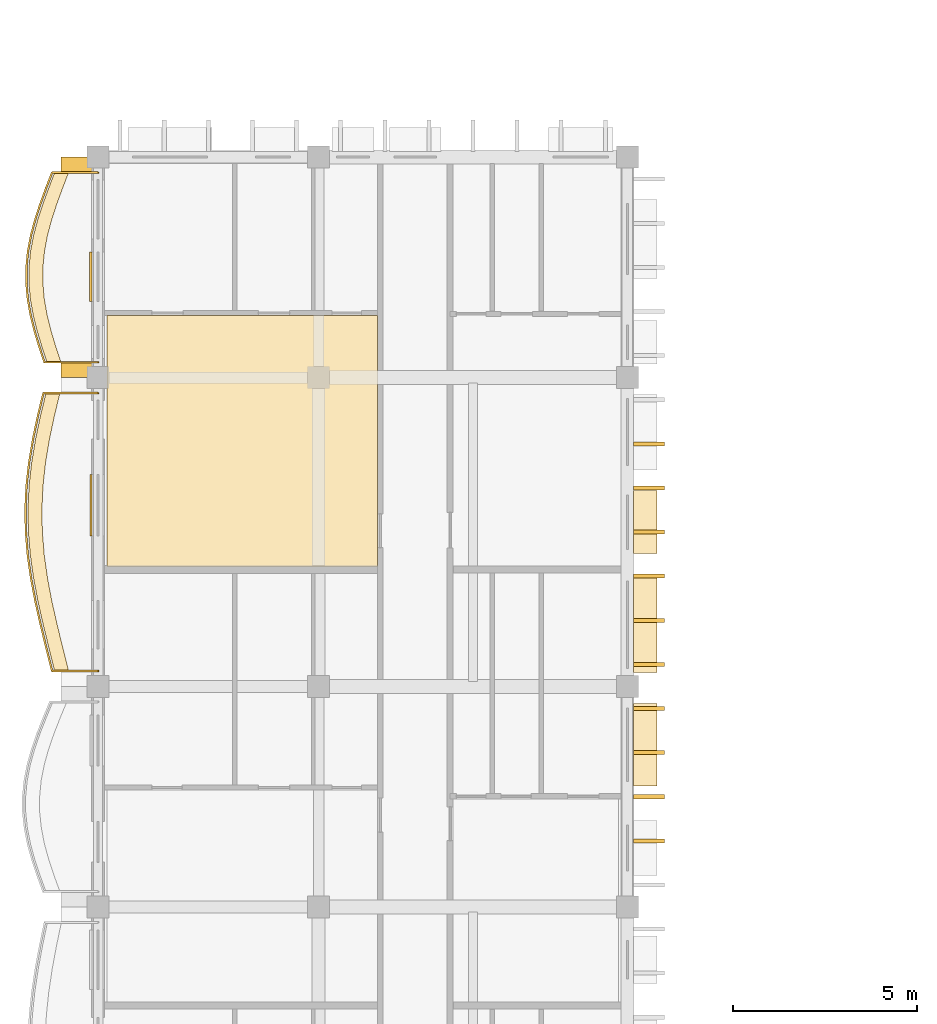
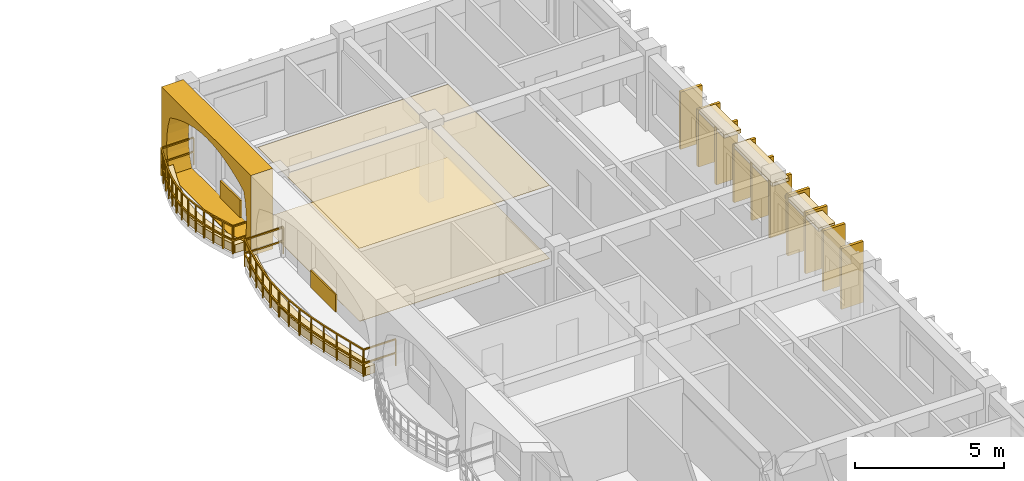
# One storey, part 74 of 101: 20 coverings, 2 railings.
"""IFC4 building model written with IfcOpenShell, lengths in metres."""

from ifc_helpers import new_model, si_unit, direction, frame, origin, origin_2d, place, context, subcontext, project, spatial, polyline, rectangle, outline, extrude, material, layer, layer_set, type_object, element, save


model = new_model("IFC4")

# Units and contexts
model_context = context("Model", 3, precision=1e-05, world=origin(), true_north=direction((0.0, 1.0)))
body_context = subcontext(model_context, "Body", "Model", "MODEL_VIEW")
ifc_project = project(units=[si_unit("LENGTHUNIT", "METRE"), si_unit("AREAUNIT", "SQUARE_METRE"), si_unit("VOLUMEUNIT", "CUBIC_METRE"), si_unit("PLANEANGLEUNIT", "RADIAN"), si_unit("MASSUNIT", "GRAM", prefix="KILO"), si_unit("THERMODYNAMICTEMPERATUREUNIT", "KELVIN")], contexts=[model_context])

# Site, building, storey
site_placement = place(None, origin())
site = spatial("IfcSite", under=ifc_project, at=site_placement, CompositionType="ELEMENT")
building_placement = place(site_placement, origin())
building = spatial("IfcBuilding", under=site, at=building_placement, Name="Thalorik Housing Commons", CompositionType="ELEMENT")
storey_placement = place(building_placement, frame((0.0, 0.0, 8.10009765625)))
storey = spatial("IfcBuildingStorey", under=building, at=storey_placement, Name="L02", CompositionType="ELEMENT", Elevation=8.10009765625)

# Coverings
ifc_material_1 = material(Name="Precast concrete C40/50", Category="concrete")
ifc_layer_1 = layer(ifc_material_1, 0.85009765625, Name="Precast concrete C40/50", Category="concrete")
ifc_layer_set_1 = layer_set([ifc_layer_1], Name="Precast concrete C40/50")
covering_type_1 = type_object("IfcCoveringType", Name="ARC-CLD-CUSH-850", PredefinedType="CLADDING", material=ifc_layer_set_1)
covering_1_placement = place(storey_placement, frame((7.81494140625, 54.60009765625, 0.0), z_axis=(0.0, 0.0, 1.0), x_axis=(0.0, -1.0, 0.0)))
element("IfcCovering", 1, at=covering_1_placement, inside=storey, type_object=covering_type_1, Name="L02 White Precast Curved Cushion Bay Frame 3589", PredefinedType="CLADDING", context=body_context, shape_type="SweptSolid", body=[
    extrude(outline(polyline([(-3.0, 0.0), (3.0, 0.0), (3.0, 3.300048828125), (-3.0, 3.300048828125), (-3.0, 0.0)]), holes=[polyline([(2.52490234375, 0.02490234375), (2.625244140625, 0.415771484375), (2.685302734375, 0.806640625), (2.70556640625, 1.197509765625), (2.685302734375, 1.58837890625), (2.625244140625, 1.979248046875), (2.52490234375, 2.3701171875), (2.112060546875, 2.573974609375), (1.69921875, 2.734130859375), (1.286376953125, 2.864013671875), (0.873291015625, 2.960205078125), (0.46044921875, 3.02001953125), (0.047607421875, 3.0400390625), (-0.365478515625, 3.02001953125), (-0.7783203125, 2.960205078125), (-1.191162109375, 2.864013671875), (-1.604248046875, 2.734130859375), (-2.01708984375, 2.573974609375), (-2.429931640625, 2.3701171875), (-2.55029296875, 1.979248046875), (-2.62255859375, 1.58837890625), (-2.646484375, 1.197509765625), (-2.62255859375, 0.806640625), (-2.55029296875, 0.415771484375), (-2.429931640625, 0.02490234375), (2.52490234375, 0.02490234375)])]), frame((0.0, 0.425048828125, 0.0), z_axis=(0.0, -1.0, 0.0), x_axis=(1.0, 0.0, 0.0)), (0.0, 0.0, 1.0), 0.85009765625),
])
ifc_layer_2 = layer(ifc_material_1, 0.85009765625, Name="Precast concrete C40/50", Category="concrete")
ifc_layer_set_2 = layer_set([ifc_layer_2], Name="Precast concrete C40/50")
covering_type_2 = type_object("IfcCoveringType", Name="ARC-CLD-FIN-850", PredefinedType="CLADDING", material=ifc_layer_set_2)
for number, where, z_axis, x_axis, name in (
    (2, (23.385009765625, 39.0, 0.039794921875), (0.0, 0.0, 1.0), (0.0, 1.0, 0.0), "L02 Courtyard Precast Vertical Brise-Soleil Fin 3549"),
    (3, (23.385009765625, 40.199951171875, 0.039794921875), (0.0, 0.0, 1.0), (0.0, 1.0, 0.0), "L02 Courtyard Precast Vertical Brise-Soleil Fin 3550"),
    (4, (23.385009765625, 41.39990234375, 0.039794921875), (0.0, 0.0, 1.0), (0.0, 1.0, 0.0), "L02 Courtyard Precast Vertical Brise-Soleil Fin 3551"),
    (5, (23.385009765625, 42.60009765625, 0.039794921875), (0.0, 0.0, 1.0), (0.0, 1.0, 0.0), "L02 Courtyard Precast Vertical Brise-Soleil Fin 3552"),
):
    element("IfcCovering", number, at=place(storey_placement, frame(where, z_axis=z_axis, x_axis=x_axis)), inside=storey, type_object=covering_type_2, Name=name, PredefinedType="CLADDING", context=body_context, shape_type="SweptSolid", body=[
        extrude(rectangle(XDim=0.110107421875, YDim=0.85009765625, at=origin_2d()), origin(), (0.0, 0.0, 1.0), 2.4951171875),
    ])
for number, where, z_axis, x_axis, name in (
    (6, (23.385009765625, 43.800048828125, 0.0400390625), (0.0, 0.0, 1.0), (0.0, 1.0, 0.0), "L02 Courtyard Precast Vertical Brise-Soleil Fin 3555"),
    (7, (23.385009765625, 45.0, 0.0400390625), (0.0, 0.0, 1.0), (0.0, 1.0, 0.0), "L02 Courtyard Precast Vertical Brise-Soleil Fin 3556"),
    (8, (23.385009765625, 46.199951171875, 0.0400390625), (0.0, 0.0, 1.0), (0.0, 1.0, 0.0), "L02 Courtyard Precast Vertical Brise-Soleil Fin 3557"),
    (9, (23.385009765625, 47.39990234375, 0.0400390625), (0.0, 0.0, 1.0), (0.0, 1.0, 0.0), "L02 Courtyard Precast Vertical Brise-Soleil Fin 3558"),
    (10, (23.385009765625, 48.60009765625, 0.0400390625), (0.0, 0.0, 1.0), (0.0, 1.0, 0.0), "L02 Courtyard Precast Vertical Brise-Soleil Fin 3559"),
    (11, (23.385009765625, 49.800048828125, 0.0400390625), (0.0, 0.0, 1.0), (0.0, 1.0, 0.0), "L02 Courtyard Precast Vertical Brise-Soleil Fin 3560"),
):
    element("IfcCovering", number, at=place(storey_placement, frame(where, z_axis=z_axis, x_axis=x_axis)), inside=storey, type_object=covering_type_2, Name=name, PredefinedType="CLADDING", context=body_context, shape_type="SweptSolid", body=[
        extrude(rectangle(XDim=0.110107421875, YDim=0.85009765625, at=origin_2d()), origin(), (0.0, 0.0, 1.0), 2.344970703125),
    ])
ifc_layer_3 = layer(ifc_material_1, 0.64990234375, Name="Precast concrete C40/50", Category="concrete")
ifc_layer_set_3 = layer_set([ifc_layer_3], Name="Precast concrete C40/50")
covering_type_3 = type_object("IfcCoveringType", Name="ARC-CLD-HOOD-650", PredefinedType="CLADDING", material=ifc_layer_set_3)
covering_2_placement = place(storey_placement, frame((23.284912109375, 41.611328125, 2.2900390625), z_axis=(0.0, 0.0, 1.0), x_axis=(0.0, 1.0, 0.0)))
element("IfcCovering", 12, at=covering_2_placement, inside=storey, type_object=covering_type_3, Name="L02 Courtyard Precast Window Sun-Hood 3554", PredefinedType="CLADDING", context=body_context, shape_type="SweptSolid", body=[
    extrude(rectangle(XDim=2.239990234375, YDim=0.64990234375, at=origin_2d()), origin(), (0.0, 0.0, 1.0), 0.139892578125),
])
covering_3_placement = place(storey_placement, frame((23.284912109375, 44.885009765625, 2.27001953125), z_axis=(0.0, 0.0, 1.0), x_axis=(0.0, 1.0, 0.0)))
element("IfcCovering", 13, at=covering_3_placement, inside=storey, type_object=covering_type_3, Name="L02 Courtyard Precast Window Sun-Hood 3562", PredefinedType="CLADDING", context=body_context, shape_type="SweptSolid", body=[
    extrude(rectangle(XDim=2.6201171875, YDim=0.64990234375, at=origin_2d()), origin(), (0.0, 0.0, 1.0), 0.139892578125),
])
covering_4_placement = place(storey_placement, frame((23.284912109375, 47.672607421875, 2.27490234375), z_axis=(0.0, 0.0, 1.0), x_axis=(0.0, 1.0, 0.0)))
element("IfcCovering", 14, at=covering_4_placement, inside=storey, type_object=covering_type_3, Name="L02 Courtyard Precast Window Sun-Hood 3563", PredefinedType="CLADDING", context=body_context, shape_type="SweptSolid", body=[
    extrude(rectangle(XDim=1.719970703125, YDim=0.64990234375, at=origin_2d()), origin(), (0.0, 0.0, 1.0), 0.139892578125),
])
ifc_material_2 = material(Name="Terracotta red mineral fibre-cement panel", Category="masonry")
ifc_layer_4 = layer(ifc_material_2, 0.054931640625, Name="Terracotta red mineral fibre-cement panel", Category="masonry")
ifc_layer_set_4 = layer_set([ifc_layer_4], Name="Terracotta red mineral fibre-cement panel")
covering_type_4 = type_object("IfcCoveringType", Name="ARC-CLD-RED-55", PredefinedType="CLADDING", material=ifc_layer_set_4)
covering_5_placement = place(storey_placement, frame((8.20751953125, 48.1298828125, 0.0498046875), z_axis=(0.0, 0.0, 1.0), x_axis=(0.0, -1.0, 0.0)))
element("IfcCovering", 15, at=covering_5_placement, inside=storey, type_object=covering_type_4, Name="L02 De Stijl Recessed Window Spandrel 3592", PredefinedType="CLADDING", context=body_context, shape_type="SweptSolid", body=[
    extrude(rectangle(XDim=1.679931640625, YDim=0.054931640625, at=origin_2d()), origin(), (0.0, 0.0, 1.0), 0.699951171875),
])
ifc_material_3 = material(Name="Mineral ochre architectural terracotta panel", Category="masonry")
ifc_layer_5 = layer(ifc_material_3, 0.06494140625, Name="Mineral ochre architectural terracotta panel", Category="masonry")
ifc_layer_set_5 = layer_set([ifc_layer_5], Name="Mineral ochre architectural terracotta panel")
covering_type_5 = type_object("IfcCoveringType", Name="ARC-CLD-YEL-65", PredefinedType="CLADDING", material=ifc_layer_set_5)
covering_6_placement = place(storey_placement, frame((8.202392578125, 54.344970703125, 0.0498046875), z_axis=(0.0, 0.0, 1.0), x_axis=(0.0, -1.0, 0.0)))
element("IfcCovering", 16, at=covering_6_placement, inside=storey, type_object=covering_type_5, Name="L02 De Stijl Recessed Window Spandrel 3590", PredefinedType="CLADDING", context=body_context, shape_type="SweptSolid", body=[
    extrude(rectangle(XDim=1.35009765625, YDim=0.06494140625, at=origin_2d()), origin(), (0.0, 0.0, 1.0), 0.699951171875),
])
ifc_material_4 = material(Name="Mineral fibre acoustic ceiling tile")
ifc_layer_6 = layer(ifc_material_4, 0.01806640625, Name="Mineral fibre acoustic ceiling tile")
ifc_layer_set_6 = layer_set([ifc_layer_6], Name="Mineral fibre acoustic ceiling tile")
covering_type_6 = type_object("IfcCoveringType", Name="ARC-COV-CEIL-02", PredefinedType="CEILING", material=ifc_layer_set_6)
covering_7_placement = place(storey_placement, frame((0.0, 0.0, 2.98193359375)))
element("IfcCovering", 17, at=covering_7_placement, inside=storey, type_object=covering_type_6, Name="L02 Family Lounge Suspended Ceiling", PredefinedType="CEILING", context=body_context, shape_type="SweptSolid", body=[
    extrude(outline(polyline([(16.0, 53.2900390625), (8.639892578125, 53.2900390625), (8.639892578125, 46.4599609375), (16.0, 46.4599609375), (16.0, 53.2900390625)])), origin(), (0.0, 0.0, 1.0), 0.01806640625),
])
ifc_material_5 = material(Name="Slip-resistant quarry terracotta corridor tile", Category="masonry")
ifc_layer_7 = layer(ifc_material_5, 0.01611328125, Name="Slip-resistant quarry terracotta corridor tile", Category="masonry")
ifc_layer_set_7 = layer_set([ifc_layer_7], Name="Slip-resistant quarry terracotta corridor tile")
covering_type_7 = type_object("IfcCoveringType", Name="ARC-COV-FLR-02", PredefinedType="FLOORING", material=ifc_layer_set_7)
covering_8_placement = place(storey_placement, origin())
element("IfcCovering", 18, at=covering_8_placement, inside=storey, type_object=covering_type_7, Name="L02 Family Lounge Flooring", PredefinedType="FLOORING", context=body_context, shape_type="SweptSolid", body=[
    extrude(outline(polyline([(16.0, 53.2900390625), (8.639892578125, 53.2900390625), (8.639892578125, 46.4599609375), (16.0, 46.4599609375), (16.0, 53.2900390625)])), origin(), (0.0, 0.0, 1.0), 0.015869140625),
])
ifc_material_6 = material(Name="Planted vegetated substrate and terracotta trough", Category="masonry")
ifc_layer_8 = layer(ifc_material_6, 0.340087890625, Name="Planted vegetated substrate and terracotta trough", Category="masonry")
ifc_layer_set_8 = layer_set([ifc_layer_8], Name="Planted vegetated substrate and terracotta trough")
covering_type_8 = type_object("IfcCoveringType", Name="ARC-COV-PLANTER", PredefinedType="USERDEFINED", material=ifc_layer_set_8)
covering_9_placement = place(storey_placement, origin())
element("IfcCovering", 19, at=covering_9_placement, inside=storey, type_object=covering_type_8, Name="L02 Balcony Slab-Edge Planted Trough 5570", ObjectType="PLANTER", PredefinedType="USERDEFINED", context=body_context, shape_type="SweptSolid", body=[
    extrude(outline(polyline([(6.982177734375, 51.179931640625), (6.829833984375, 50.550048828125), (6.697021484375, 49.919921875), (6.59228515625, 49.2900390625), (6.522705078125, 48.659912109375), (6.492919921875, 48.030029296875), (6.50439453125, 47.39990234375), (6.556884765625, 46.77001953125), (6.64599609375, 46.139892578125), (6.765380859375, 45.510009765625), (6.9072265625, 44.8798828125), (7.061279296875, 44.25), (7.21728515625, 43.6201171875), (7.597412109375, 43.6201171875), (7.44140625, 44.25), (7.287109375, 44.8798828125), (7.1455078125, 45.510009765625), (7.02587890625, 46.139892578125), (6.936767578125, 46.77001953125), (6.884521484375, 47.39990234375), (6.872802734375, 48.030029296875), (6.902587890625, 48.659912109375), (6.97216796875, 49.2900390625), (7.076904296875, 49.919921875), (7.2099609375, 50.550048828125), (7.3623046875, 51.179931640625), (6.982177734375, 51.179931640625)])), origin(), (0.0, 0.0, 1.0), 0.33984375),
])
covering_10_placement = place(storey_placement, origin())
element("IfcCovering", 20, at=covering_10_placement, inside=storey, type_object=covering_type_8, Name="L02 Balcony Slab-Edge Planted Trough 5571", ObjectType="PLANTER", PredefinedType="USERDEFINED", context=body_context, shape_type="SweptSolid", body=[
    extrude(outline(polyline([(7.218017578125, 57.179931640625), (7.053466796875, 56.75), (6.89599609375, 56.320068359375), (6.755615234375, 55.889892578125), (6.641845703125, 55.4599609375), (6.5615234375, 55.030029296875), (6.519775390625, 54.60009765625), (6.518798828125, 54.169921875), (6.5576171875, 53.739990234375), (6.633056640625, 53.31005859375), (6.739013671875, 52.8798828125), (6.8681640625, 52.449951171875), (7.010498046875, 52.02001953125), (7.390380859375, 52.02001953125), (7.248046875, 52.449951171875), (7.119140625, 52.8798828125), (7.012939453125, 53.31005859375), (6.9375, 53.739990234375), (6.898681640625, 54.169921875), (6.89990234375, 54.60009765625), (6.941650390625, 55.030029296875), (7.021728515625, 55.4599609375), (7.135498046875, 55.889892578125), (7.27587890625, 56.320068359375), (7.43359375, 56.75), (7.597900390625, 57.179931640625), (7.218017578125, 57.179931640625)])), origin(), (0.0, 0.0, 1.0), 0.33984375),
])

# Railings
ifc_material_7 = material(Name="Steel S355", Category="steel")
railing_type_1 = type_object("IfcRailingType", Name="ARC-RL-BAL-112", PredefinedType="BALUSTRADE", material=ifc_material_7)
railing_1_placement = place(storey_placement, frame((8.39990234375, 51.179931640625, 0.0)))
element("IfcRailing", 21, at=railing_1_placement, inside=storey, type_object=railing_type_1, Name="L02 Cushion Balcony Guardrail 254", PredefinedType="BALUSTRADE", context=body_context, shape_type="SweptSolid", body=[
    extrude(rectangle(XDim=0.050048828125, YDim=0.050048828125, at=origin_2d()), frame((0.0, 0.0, 1.09521484375), z_axis=(-1.0, 0.0, 0.0), x_axis=(0.0, -1.0, 0.0)), (0.0, 0.0, 1.0), 1.48779296875),
    extrude(rectangle(XDim=0.050048828125, YDim=0.050048828125, at=origin_2d()), frame((0.0, 0.0, 0.53515625), z_axis=(-1.0, 0.0, 0.0), x_axis=(0.0, -1.0, 0.0)), (0.0, 0.0, 1.0), 1.48779296875),
    extrude(rectangle(XDim=0.050048828125, YDim=0.050048828125, at=origin_2d()), frame((-1.48779296875, 0.0, 1.09521484375), z_axis=(-0.23472646916, -0.972061461367, 0.0), x_axis=(0.972061461367, -0.23472646916, 0.0)), (0.0, 0.0, 1.0), 0.64794921875),
    extrude(rectangle(XDim=0.050048828125, YDim=0.050048828125, at=origin_2d()), frame((-1.48779296875, 0.0, 0.53515625), z_axis=(-0.23472646916, -0.972061461367, 0.0), x_axis=(0.972061461367, -0.23472646916, 0.0)), (0.0, 0.0, 1.0), 0.64794921875),
    extrude(rectangle(XDim=0.050048828125, YDim=0.050048828125, at=origin_2d()), frame((-1.639892578125, -0.6298828125, 1.09521484375), z_axis=(-0.206602704739, -0.97842491914, 0.0), x_axis=(0.97842491914, -0.206602704739, 0.0)), (0.0, 0.0, 1.0), 0.64404296875),
    extrude(rectangle(XDim=0.050048828125, YDim=0.050048828125, at=origin_2d()), frame((-1.639892578125, -0.6298828125, 0.53515625), z_axis=(-0.206602704739, -0.97842491914, 0.0), x_axis=(0.97842491914, -0.206602704739, 0.0)), (0.0, 0.0, 1.0), 0.64404296875),
    extrude(rectangle(XDim=0.050048828125, YDim=0.050048828125, at=origin_2d()), frame((-1.77294921875, -1.260009765625, 1.09521484375), z_axis=(-0.164026962091, -0.986455855934, 0.0), x_axis=(0.986455855934, -0.164026962091, 0.0)), (0.0, 0.0, 1.0), 0.638427734375),
    extrude(rectangle(XDim=0.050048828125, YDim=0.050048828125, at=origin_2d()), frame((-1.77294921875, -1.260009765625, 0.53515625), z_axis=(-0.164026962091, -0.986455855934, 0.0), x_axis=(0.986455855934, -0.164026962091, 0.0)), (0.0, 0.0, 1.0), 0.638427734375),
    extrude(rectangle(XDim=0.050048828125, YDim=0.050048828125, at=origin_2d()), frame((-1.877685546875, -1.889892578125, 1.09521484375), z_axis=(-0.109755216761, -0.993958647225, 0.0), x_axis=(0.993958647225, -0.109755216761, 0.0)), (0.0, 0.0, 1.0), 0.634033203125),
    extrude(rectangle(XDim=0.050048828125, YDim=0.050048828125, at=origin_2d()), frame((-1.877685546875, -1.889892578125, 0.53515625), z_axis=(-0.109755216761, -0.993958647225, 0.0), x_axis=(0.993958647225, -0.109755216761, 0.0)), (0.0, 0.0, 1.0), 0.634033203125),
    extrude(rectangle(XDim=0.050048828125, YDim=0.050048828125, at=origin_2d()), frame((-1.947265625, -2.52001953125, 1.09521484375), z_axis=(-0.047234042506, -0.998883849719, 0.0), x_axis=(0.998883849719, -0.047234042506, 0.0)), (0.0, 0.0, 1.0), 0.630615234375),
    extrude(rectangle(XDim=0.050048828125, YDim=0.050048828125, at=origin_2d()), frame((-1.947265625, -2.52001953125, 0.53515625), z_axis=(-0.047234042506, -0.998883849719, 0.0), x_axis=(0.998883849719, -0.047234042506, 0.0)), (0.0, 0.0, 1.0), 0.630615234375),
    extrude(rectangle(XDim=0.050048828125, YDim=0.050048828125, at=origin_2d()), frame((-1.97705078125, -3.14990234375, 1.09521484375), z_axis=(0.018594227584, -0.999827112405, 0.0), x_axis=(0.999827112405, 0.018594227584, 0.0)), (0.0, 0.0, 1.0), 0.630126953125),
    extrude(rectangle(XDim=0.050048828125, YDim=0.050048828125, at=origin_2d()), frame((-1.97705078125, -3.14990234375, 0.53515625), z_axis=(0.018594227584, -0.999827112405, 0.0), x_axis=(0.999827112405, 0.018594227584, 0.0)), (0.0, 0.0, 1.0), 0.630126953125),
    extrude(rectangle(XDim=0.050048828125, YDim=0.050048828125, at=origin_2d()), frame((-1.96533203125, -3.780029296875, 1.09521484375), z_axis=(0.082661867227, -0.996577651619, 0.0), x_axis=(0.996577651619, 0.082661867227, 0.0)), (0.0, 0.0, 1.0), 0.632080078125),
    extrude(rectangle(XDim=0.050048828125, YDim=0.050048828125, at=origin_2d()), frame((-1.96533203125, -3.780029296875, 0.53515625), z_axis=(0.082661867227, -0.996577651619, 0.0), x_axis=(0.996577651619, 0.082661867227, 0.0)), (0.0, 0.0, 1.0), 0.632080078125),
    extrude(rectangle(XDim=0.050048828125, YDim=0.050048828125, at=origin_2d()), frame((-1.9130859375, -4.409912109375, 1.09521484375), z_axis=(0.140024803798, -0.990147996171, 0.0), x_axis=(0.990147996171, 0.140024803798, 0.0)), (0.0, 0.0, 1.0), 0.636474609375),
    extrude(rectangle(XDim=0.050048828125, YDim=0.050048828125, at=origin_2d()), frame((-1.9130859375, -4.409912109375, 0.53515625), z_axis=(0.140024803798, -0.990147996171, 0.0), x_axis=(0.990147996171, 0.140024803798, 0.0)), (0.0, 0.0, 1.0), 0.636474609375),
    extrude(rectangle(XDim=0.050048828125, YDim=0.050048828125, at=origin_2d()), frame((-1.823974609375, -5.0400390625, 1.09521484375), z_axis=(0.186219568681, -0.982508153778, 0.0), x_axis=(0.982508153778, 0.186219568681, 0.0)), (0.0, 0.0, 1.0), 0.64111328125),
    extrude(rectangle(XDim=0.050048828125, YDim=0.050048828125, at=origin_2d()), frame((-1.823974609375, -5.0400390625, 0.53515625), z_axis=(0.186219568681, -0.982508153778, 0.0), x_axis=(0.982508153778, 0.186219568681, 0.0)), (0.0, 0.0, 1.0), 0.64111328125),
    extrude(rectangle(XDim=0.050048828125, YDim=0.050048828125, at=origin_2d()), frame((-1.70458984375, -5.669921875, 1.09521484375), z_axis=(0.219611132006, -0.975587490028, 0.0), x_axis=(0.975587490028, 0.219611132006, 0.0)), (0.0, 0.0, 1.0), 0.64599609375),
    extrude(rectangle(XDim=0.050048828125, YDim=0.050048828125, at=origin_2d()), frame((-1.70458984375, -5.669921875, 0.53515625), z_axis=(0.219611132006, -0.975587490028, 0.0), x_axis=(0.975587490028, 0.219611132006, 0.0)), (0.0, 0.0, 1.0), 0.64599609375),
    extrude(rectangle(XDim=0.050048828125, YDim=0.050048828125, at=origin_2d()), frame((-1.562744140625, -6.300048828125, 1.09521484375), z_axis=(0.23757151253, -0.971370051234, 0.0), x_axis=(0.971370051234, 0.23757151253, 0.0)), (0.0, 0.0, 1.0), 0.6484375),
    extrude(rectangle(XDim=0.050048828125, YDim=0.050048828125, at=origin_2d()), frame((-1.562744140625, -6.300048828125, 0.53515625), z_axis=(0.23757151253, -0.971370051234, 0.0), x_axis=(0.971370051234, 0.23757151253, 0.0)), (0.0, 0.0, 1.0), 0.6484375),
    extrude(rectangle(XDim=0.050048828125, YDim=0.050048828125, at=origin_2d()), frame((-1.40869140625, -6.929931640625, 1.09521484375), z_axis=(0.240764891139, -0.970583467402, 0.0), x_axis=(0.970583467402, 0.240764891139, 0.0)), (0.0, 0.0, 1.0), 0.64892578125),
    extrude(rectangle(XDim=0.050048828125, YDim=0.050048828125, at=origin_2d()), frame((-1.40869140625, -6.929931640625, 0.53515625), z_axis=(0.240764891139, -0.970583467402, 0.0), x_axis=(0.970583467402, 0.240764891139, 0.0)), (0.0, 0.0, 1.0), 0.64892578125),
    extrude(rectangle(XDim=0.050048828125, YDim=0.050048828125, at=origin_2d()), frame((-1.25244140625, -7.559814453125, 1.09521484375), z_axis=(1.0, 0.0, 0.0), x_axis=(0.0, 1.0, 0.0)), (0.0, 0.0, 1.0), 1.25244140625),
    extrude(rectangle(XDim=0.050048828125, YDim=0.050048828125, at=origin_2d()), frame((-1.25244140625, -7.559814453125, 0.53515625), z_axis=(1.0, 0.0, 0.0), x_axis=(0.0, 1.0, 0.0)), (0.0, 0.0, 1.0), 1.25244140625),
    extrude(rectangle(XDim=0.0419921875, YDim=0.0419921875, at=origin_2d()), origin(), (0.0, 0.0, 1.0), 1.070068359375),
    extrude(rectangle(XDim=0.0419921875, YDim=0.0419921875, at=origin_2d()), frame((-1.48779296875, 0.0, 0.0)), (0.0, 0.0, 1.0), 1.070068359375),
    extrude(rectangle(XDim=0.0419921875, YDim=0.0419921875, at=origin_2d()), frame((-1.639892578125, -0.6298828125, 0.0)), (0.0, 0.0, 1.0), 1.070068359375),
    extrude(rectangle(XDim=0.0419921875, YDim=0.0419921875, at=origin_2d()), frame((-1.77294921875, -1.260009765625, 0.0)), (0.0, 0.0, 1.0), 1.070068359375),
    extrude(rectangle(XDim=0.0419921875, YDim=0.0419921875, at=origin_2d()), frame((-1.877685546875, -1.889892578125, 0.0)), (0.0, 0.0, 1.0), 1.070068359375),
    extrude(rectangle(XDim=0.0419921875, YDim=0.0419921875, at=origin_2d()), frame((-1.947265625, -2.52001953125, 0.0)), (0.0, 0.0, 1.0), 1.070068359375),
    extrude(rectangle(XDim=0.0419921875, YDim=0.0419921875, at=origin_2d()), frame((-1.97705078125, -3.14990234375, 0.0)), (0.0, 0.0, 1.0), 1.070068359375),
    extrude(rectangle(XDim=0.0419921875, YDim=0.0419921875, at=origin_2d()), frame((-1.96533203125, -3.780029296875, 0.0)), (0.0, 0.0, 1.0), 1.070068359375),
    extrude(rectangle(XDim=0.0419921875, YDim=0.0419921875, at=origin_2d()), frame((-1.9130859375, -4.409912109375, 0.0)), (0.0, 0.0, 1.0), 1.070068359375),
    extrude(rectangle(XDim=0.0419921875, YDim=0.0419921875, at=origin_2d()), frame((-1.823974609375, -5.0400390625, 0.0)), (0.0, 0.0, 1.0), 1.070068359375),
    extrude(rectangle(XDim=0.0419921875, YDim=0.0419921875, at=origin_2d()), frame((-1.70458984375, -5.669921875, 0.0)), (0.0, 0.0, 1.0), 1.070068359375),
    extrude(rectangle(XDim=0.0419921875, YDim=0.0419921875, at=origin_2d()), frame((-1.562744140625, -6.300048828125, 0.0)), (0.0, 0.0, 1.0), 1.070068359375),
    extrude(rectangle(XDim=0.0419921875, YDim=0.0419921875, at=origin_2d()), frame((-1.40869140625, -6.929931640625, 0.0)), (0.0, 0.0, 1.0), 1.070068359375),
    extrude(rectangle(XDim=0.0419921875, YDim=0.0419921875, at=origin_2d()), frame((-1.25244140625, -7.559814453125, 0.0)), (0.0, 0.0, 1.0), 1.070068359375),
    extrude(rectangle(XDim=0.0419921875, YDim=0.0419921875, at=origin_2d()), frame((0.0, -7.559814453125, 0.0)), (0.0, 0.0, 1.0), 1.070068359375),
])
railing_type_2 = type_object("IfcRailingType", Name="ARC-RL-BAL-115", PredefinedType="BALUSTRADE", material=ifc_material_7)
railing_2_placement = place(storey_placement, frame((8.39990234375, 57.179931640625, 0.0)))
element("IfcRailing", 22, at=railing_2_placement, inside=storey, type_object=railing_type_2, Name="L02 Cushion Balcony Guardrail 255", PredefinedType="BALUSTRADE", context=body_context, shape_type="SweptSolid", body=[
    extrude(rectangle(XDim=0.050048828125, YDim=0.050048828125, at=origin_2d()), frame((0.0, 0.0, 1.125), z_axis=(-1.0, 0.0, 0.0), x_axis=(0.0, -1.0, 0.0)), (0.0, 0.0, 1.0), 1.251953125),
    extrude(rectangle(XDim=0.050048828125, YDim=0.050048828125, at=origin_2d()), frame((0.0, 0.0, 0.5498046875), z_axis=(-1.0, 0.0, 0.0), x_axis=(0.0, -1.0, 0.0)), (0.0, 0.0, 1.0), 1.251953125),
    extrude(rectangle(XDim=0.050048828125, YDim=0.050048828125, at=origin_2d()), frame((-1.251953125, 0.0, 1.125), z_axis=(-0.357450448007, -0.933932105252, 0.0), x_axis=(0.933932105252, -0.357450448007, 0.0)), (0.0, 0.0, 1.0), 0.46044921875),
    extrude(rectangle(XDim=0.050048828125, YDim=0.050048828125, at=origin_2d()), frame((-1.251953125, 0.0, 0.5498046875), z_axis=(-0.357450448007, -0.933932105252, 0.0), x_axis=(0.933932105252, -0.357450448007, 0.0)), (0.0, 0.0, 1.0), 0.46044921875),
    extrude(rectangle(XDim=0.050048828125, YDim=0.050048828125, at=origin_2d()), frame((-1.41650390625, -0.429931640625, 1.125), z_axis=(-0.343925610057, -0.938996898156, 0.0), x_axis=(0.938996898156, -0.343925610057, 0.0)), (0.0, 0.0, 1.0), 0.457763671875),
    extrude(rectangle(XDim=0.050048828125, YDim=0.050048828125, at=origin_2d()), frame((-1.41650390625, -0.429931640625, 0.5498046875), z_axis=(-0.343925610057, -0.938996898156, 0.0), x_axis=(0.938996898156, -0.343925610057, 0.0)), (0.0, 0.0, 1.0), 0.457763671875),
    extrude(rectangle(XDim=0.050048828125, YDim=0.050048828125, at=origin_2d()), frame((-1.573974609375, -0.85986328125, 1.125), z_axis=(-0.310232626381, -0.950660674231, 0.0), x_axis=(0.950660674231, -0.310232626381, 0.0)), (0.0, 0.0, 1.0), 0.452392578125),
    extrude(rectangle(XDim=0.050048828125, YDim=0.050048828125, at=origin_2d()), frame((-1.573974609375, -0.85986328125, 0.5498046875), z_axis=(-0.310232626381, -0.950660674231, 0.0), x_axis=(0.950660674231, -0.310232626381, 0.0)), (0.0, 0.0, 1.0), 0.452392578125),
    extrude(rectangle(XDim=0.050048828125, YDim=0.050048828125, at=origin_2d()), frame((-1.71435546875, -1.2900390625, 1.125), z_axis=(-0.25581711585, -0.966725195305, 0.0), x_axis=(0.966725195305, -0.25581711585, 0.0)), (0.0, 0.0, 1.0), 0.44482421875),
    extrude(rectangle(XDim=0.050048828125, YDim=0.050048828125, at=origin_2d()), frame((-1.71435546875, -1.2900390625, 0.5498046875), z_axis=(-0.25581711585, -0.966725195305, 0.0), x_axis=(0.966725195305, -0.25581711585, 0.0)), (0.0, 0.0, 1.0), 0.44482421875),
    extrude(rectangle(XDim=0.050048828125, YDim=0.050048828125, at=origin_2d()), frame((-1.828125, -1.719970703125, 1.125), z_axis=(-0.183108686878, -0.983092675585, 0.0), x_axis=(0.983092675585, -0.183108686878, 0.0)), (0.0, 0.0, 1.0), 0.437255859375),
    extrude(rectangle(XDim=0.050048828125, YDim=0.050048828125, at=origin_2d()), frame((-1.828125, -1.719970703125, 0.5498046875), z_axis=(-0.183108686878, -0.983092675585, 0.0), x_axis=(0.983092675585, -0.183108686878, 0.0)), (0.0, 0.0, 1.0), 0.437255859375),
    extrude(rectangle(XDim=0.050048828125, YDim=0.050048828125, at=origin_2d()), frame((-1.908203125, -2.14990234375, 1.125), z_axis=(-0.097209200993, -0.995263970634, 0.0), x_axis=(0.995263970634, -0.097209200993, 0.0)), (0.0, 0.0, 1.0), 0.431884765625),
    extrude(rectangle(XDim=0.050048828125, YDim=0.050048828125, at=origin_2d()), frame((-1.908203125, -2.14990234375, 0.5498046875), z_axis=(-0.097209200993, -0.995263970634, 0.0), x_axis=(0.995263970634, -0.097209200993, 0.0)), (0.0, 0.0, 1.0), 0.431884765625),
    extrude(rectangle(XDim=0.050048828125, YDim=0.050048828125, at=origin_2d()), frame((-1.9501953125, -2.579833984375, 1.125), z_axis=(-0.00227014171, -0.999997423225, 0.0), x_axis=(0.999997423225, -0.00227014171, 0.0)), (0.0, 0.0, 1.0), 0.43017578125),
    extrude(rectangle(XDim=0.050048828125, YDim=0.050048828125, at=origin_2d()), frame((-1.9501953125, -2.579833984375, 0.5498046875), z_axis=(-0.00227014171, -0.999997423225, 0.0), x_axis=(0.999997423225, -0.00227014171, 0.0)), (0.0, 0.0, 1.0), 0.43017578125),
    extrude(rectangle(XDim=0.050048828125, YDim=0.050048828125, at=origin_2d()), frame((-1.951171875, -3.010009765625, 1.125), z_axis=(0.089923813119, -0.995948647187, 0.0), x_axis=(0.995948647187, 0.089923813119, 0.0)), (0.0, 0.0, 1.0), 0.431640625),
    extrude(rectangle(XDim=0.050048828125, YDim=0.050048828125, at=origin_2d()), frame((-1.951171875, -3.010009765625, 0.5498046875), z_axis=(0.089923813119, -0.995948647187, 0.0), x_axis=(0.995948647187, 0.089923813119, 0.0)), (0.0, 0.0, 1.0), 0.431640625),
    extrude(rectangle(XDim=0.050048828125, YDim=0.050048828125, at=origin_2d()), frame((-1.912353515625, -3.43994140625, 1.125), z_axis=(0.17282803652, -0.984952013954, 0.0), x_axis=(0.984952013954, 0.17282803652, 0.0)), (0.0, 0.0, 1.0), 0.4365234375),
    extrude(rectangle(XDim=0.050048828125, YDim=0.050048828125, at=origin_2d()), frame((-1.912353515625, -3.43994140625, 0.5498046875), z_axis=(0.17282803652, -0.984952013954, 0.0), x_axis=(0.984952013954, 0.17282803652, 0.0)), (0.0, 0.0, 1.0), 0.4365234375),
    extrude(rectangle(XDim=0.050048828125, YDim=0.050048828125, at=origin_2d()), frame((-1.8369140625, -3.869873046875, 1.125), z_axis=(0.239682372824, -0.970851358426, 0.0), x_axis=(0.970851358426, 0.239682372824, 0.0)), (0.0, 0.0, 1.0), 0.443115234375),
    extrude(rectangle(XDim=0.050048828125, YDim=0.050048828125, at=origin_2d()), frame((-1.8369140625, -3.869873046875, 0.5498046875), z_axis=(0.239682372824, -0.970851358426, 0.0), x_axis=(0.970851358426, 0.239682372824, 0.0)), (0.0, 0.0, 1.0), 0.443115234375),
    extrude(rectangle(XDim=0.050048828125, YDim=0.050048828125, at=origin_2d()), frame((-1.730712890625, -4.300048828125, 1.125), z_axis=(0.287198174918, -0.957871185663, 0.0), x_axis=(0.957871185663, 0.287198174918, 0.0)), (0.0, 0.0, 1.0), 0.44873046875),
    extrude(rectangle(XDim=0.050048828125, YDim=0.050048828125, at=origin_2d()), frame((-1.730712890625, -4.300048828125, 0.5498046875), z_axis=(0.287198174918, -0.957871185663, 0.0), x_axis=(0.957871185663, 0.287198174918, 0.0)), (0.0, 0.0, 1.0), 0.44873046875),
    extrude(rectangle(XDim=0.050048828125, YDim=0.050048828125, at=origin_2d()), frame((-1.601806640625, -4.72998046875, 1.125), z_axis=(0.3142863993, -0.949328214695, 0.0), x_axis=(0.949328214695, 0.3142863993, 0.0)), (0.0, 0.0, 1.0), 0.452880859375),
    extrude(rectangle(XDim=0.050048828125, YDim=0.050048828125, at=origin_2d()), frame((-1.601806640625, -4.72998046875, 0.5498046875), z_axis=(0.3142863993, -0.949328214695, 0.0), x_axis=(0.949328214695, 0.3142863993, 0.0)), (0.0, 0.0, 1.0), 0.452880859375),
    extrude(rectangle(XDim=0.050048828125, YDim=0.050048828125, at=origin_2d()), frame((-1.45947265625, -5.159912109375, 1.125), z_axis=(1.0, 0.0, 0.0), x_axis=(0.0, 1.0, 0.0)), (0.0, 0.0, 1.0), 1.45947265625),
    extrude(rectangle(XDim=0.050048828125, YDim=0.050048828125, at=origin_2d()), frame((-1.45947265625, -5.159912109375, 0.5498046875), z_axis=(1.0, 0.0, 0.0), x_axis=(0.0, 1.0, 0.0)), (0.0, 0.0, 1.0), 1.45947265625),
    extrude(rectangle(XDim=0.0419921875, YDim=0.0419921875, at=origin_2d()), origin(), (0.0, 0.0, 1.0), 1.099853515625),
    extrude(rectangle(XDim=0.0419921875, YDim=0.0419921875, at=origin_2d()), frame((-1.251953125, 0.0, 0.0)), (0.0, 0.0, 1.0), 1.099853515625),
    extrude(rectangle(XDim=0.0419921875, YDim=0.0419921875, at=origin_2d()), frame((-1.41650390625, -0.429931640625, 0.0)), (0.0, 0.0, 1.0), 1.099853515625),
    extrude(rectangle(XDim=0.0419921875, YDim=0.0419921875, at=origin_2d()), frame((-1.573974609375, -0.85986328125, 0.0)), (0.0, 0.0, 1.0), 1.099853515625),
    extrude(rectangle(XDim=0.0419921875, YDim=0.0419921875, at=origin_2d()), frame((-1.71435546875, -1.2900390625, 0.0)), (0.0, 0.0, 1.0), 1.099853515625),
    extrude(rectangle(XDim=0.0419921875, YDim=0.0419921875, at=origin_2d()), frame((-1.828125, -1.719970703125, 0.0)), (0.0, 0.0, 1.0), 1.099853515625),
    extrude(rectangle(XDim=0.0419921875, YDim=0.0419921875, at=origin_2d()), frame((-1.908203125, -2.14990234375, 0.0)), (0.0, 0.0, 1.0), 1.099853515625),
    extrude(rectangle(XDim=0.0419921875, YDim=0.0419921875, at=origin_2d()), frame((-1.9501953125, -2.579833984375, 0.0)), (0.0, 0.0, 1.0), 1.099853515625),
    extrude(rectangle(XDim=0.0419921875, YDim=0.0419921875, at=origin_2d()), frame((-1.951171875, -3.010009765625, 0.0)), (0.0, 0.0, 1.0), 1.099853515625),
    extrude(rectangle(XDim=0.0419921875, YDim=0.0419921875, at=origin_2d()), frame((-1.912353515625, -3.43994140625, 0.0)), (0.0, 0.0, 1.0), 1.099853515625),
    extrude(rectangle(XDim=0.0419921875, YDim=0.0419921875, at=origin_2d()), frame((-1.8369140625, -3.869873046875, 0.0)), (0.0, 0.0, 1.0), 1.099853515625),
    extrude(rectangle(XDim=0.0419921875, YDim=0.0419921875, at=origin_2d()), frame((-1.730712890625, -4.300048828125, 0.0)), (0.0, 0.0, 1.0), 1.099853515625),
    extrude(rectangle(XDim=0.0419921875, YDim=0.0419921875, at=origin_2d()), frame((-1.601806640625, -4.72998046875, 0.0)), (0.0, 0.0, 1.0), 1.099853515625),
    extrude(rectangle(XDim=0.0419921875, YDim=0.0419921875, at=origin_2d()), frame((-1.45947265625, -5.159912109375, 0.0)), (0.0, 0.0, 1.0), 1.099853515625),
    extrude(rectangle(XDim=0.0419921875, YDim=0.0419921875, at=origin_2d()), frame((0.0, -5.159912109375, 0.0)), (0.0, 0.0, 1.0), 1.099853515625),
])

save(model, "model.ifc")
